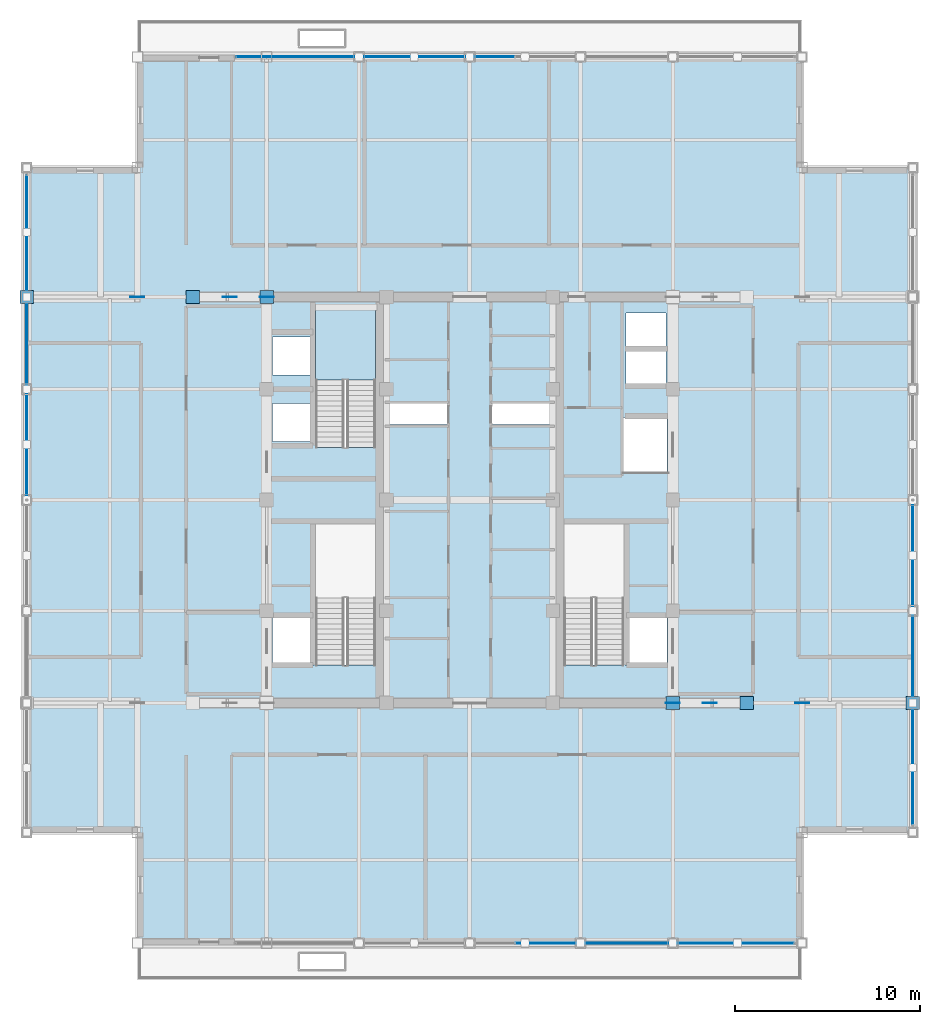
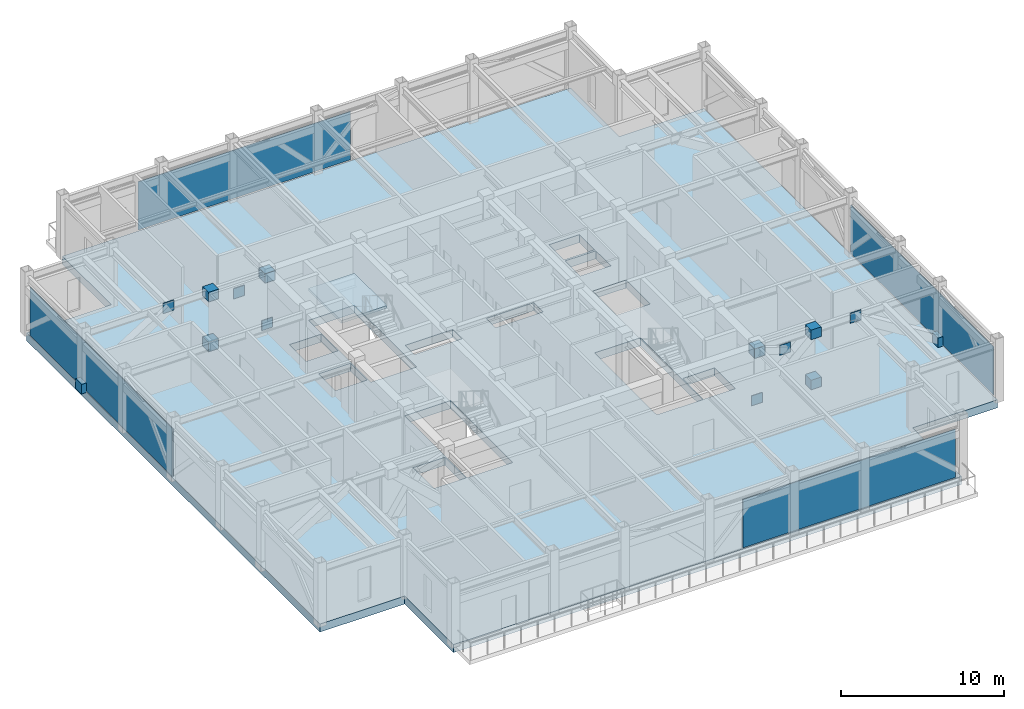
# One storey, part 24 of 32: 18 plates, 2 slabs, 5 elements without a shape of their own.
"""IFC4 building model written with IfcOpenShell, lengths in metres."""

from ifc_helpers import new_model, si_unit, direction, frame, origin, origin_2d, place, context, subcontext, project, spatial, polyline, rectangle, outline, extrude, source, transform, mapped, material, layer, layer_set, type_object, element, aggregate, save


model = new_model("IFC4")

# Units and contexts
model_context = context("Model", 3, precision=1e-05, world=origin(), true_north=direction((0.0, 1.0)))
body_context = subcontext(model_context, "Body", "Model", "MODEL_VIEW")
ifc_project = project(units=[si_unit("LENGTHUNIT", "METRE"), si_unit("AREAUNIT", "SQUARE_METRE"), si_unit("VOLUMEUNIT", "CUBIC_METRE"), si_unit("PLANEANGLEUNIT", "RADIAN"), si_unit("MASSUNIT", "GRAM", prefix="KILO")], contexts=[model_context])

# Site, building, storey
site_placement = place(None, origin())
site = spatial("IfcSite", under=ifc_project, at=site_placement, CompositionType="ELEMENT")
building_placement = place(site_placement, origin())
building = spatial("IfcBuilding", under=site, at=building_placement, Name="Khorayat Bourse Tower", CompositionType="ELEMENT")
storey_placement = place(building_placement, frame((0.0, 0.0, 375.5)))
storey = spatial("IfcBuildingStorey", under=building, at=storey_placement, Name="L89", CompositionType="ELEMENT", Elevation=375.5)

# Stair, slab
ifc_material_1 = material(Name="Concrete C40/50", Category="concrete")
stair_type = type_object("IfcStairType", Name="STR-CORE-1550", PredefinedType="HALF_TURN_STAIR", material=ifc_material_1)
stair_placement = place(storey_placement, origin())
stair = element("IfcStair", 1, at=stair_placement, inside=storey, type_object=stair_type, Name="L89 Exit Stair ST-2", PredefinedType="HALF_TURN_STAIR")
ifc_layer_1 = layer(ifc_material_1, 0.199951171875)
ifc_layer_set_1 = layer_set([ifc_layer_1], Name="Concrete C40/50")
slab_type_1 = type_object("IfcSlabType", Name="SLB-LANDING-200", PredefinedType="LANDING", material=ifc_layer_set_1)
slab_1_placement = place(storey_placement, frame((0.0, 0.0, 2.199951171875)))
slab_1 = element("IfcSlab", 2, at=slab_1_placement, type_object=slab_type_1, Name="ST-2 landing 1", PredefinedType="LANDING", context=body_context, shape_type="SweptSolid", body=[
    extrude(outline(polyline([(-5.10009765625, 6.489990234375), (-5.10009765625, 10.5), (-8.35009765625, 10.5), (-8.35009765625, 6.489990234375), (-5.10009765625, 6.489990234375)])), origin(), (0.0, 0.0, 1.0), 0.199951171875),
])
aggregate(stair, [slab_1])

# Slab
ifc_material_2 = material(Name="Concrete C50/60", Category="concrete")
ifc_layer_2 = layer(ifc_material_2, 0.60009765625)
ifc_layer_set_2 = layer_set([ifc_layer_2], Name="Concrete C50/60")
slab_type_2 = type_object("IfcSlabType", Name="SLB-TRANS-600", PredefinedType="FLOOR", material=ifc_layer_set_2)
slab_2_placement = place(storey_placement, frame((0.0, 0.0, -0.60009765625)))
element("IfcSlab", 3, at=slab_2_placement, inside=storey, type_object=slab_type_2, Name="L89 Main Floor Slab", PredefinedType="FLOOR", context=body_context, shape_type="SweptSolid", body=[
    extrude(outline(polyline([(-18.0, -24.0), (18.0, -24.0), (18.0, -18.0), (24.0, -18.0), (24.0, 18.0), (18.0, 18.0), (18.0, 24.0), (-18.0, 24.0), (-18.0, 18.0), (-24.0, 18.0), (-24.0, -18.0), (-18.0, -18.0), (-18.0, -24.0)]), holes=[polyline([(-8.35009765625, -8.945068359375), (-5.10009765625, -8.945068359375), (-5.10009765625, -1.300048828125), (-8.35009765625, -1.300048828125), (-8.35009765625, -8.945068359375)]), polyline([(-8.35009765625, 2.85498046875), (-5.10009765625, 2.85498046875), (-5.10009765625, 10.5), (-8.35009765625, 10.5), (-8.35009765625, 2.85498046875)]), polyline([(5.10009765625, -8.945068359375), (8.35009765625, -8.945068359375), (8.35009765625, -1.300048828125), (5.10009765625, -1.300048828125), (5.10009765625, -8.945068359375)]), polyline([(-10.679931640625, 3.169921875), (-8.419921875, 3.169921875), (-8.419921875, 5.22998046875), (-10.679931640625, 5.22998046875), (-10.679931640625, 3.169921875)]), polyline([(-10.679931640625, 6.77001953125), (-8.419921875, 6.77001953125), (-8.419921875, 8.830078125), (-10.679931640625, 8.830078125), (-10.679931640625, 6.77001953125)]), polyline([(8.469970703125, 6.27001953125), (10.6298828125, 6.27001953125), (10.6298828125, 8.1298828125), (8.469970703125, 8.1298828125), (8.469970703125, 6.27001953125)]), polyline([(8.469970703125, 8.27001953125), (10.6298828125, 8.27001953125), (10.6298828125, 10.1298828125), (8.469970703125, 10.1298828125), (8.469970703125, 8.27001953125)]), polyline([(-10.679931640625, -8.929931640625), (-8.419921875, -8.929931640625), (-8.419921875, -6.3701171875), (-10.679931640625, -6.3701171875), (-10.679931640625, -8.929931640625)]), polyline([(8.419921875, -8.929931640625), (10.679931640625, -8.929931640625), (10.679931640625, -6.3701171875), (8.419921875, -6.3701171875), (8.419921875, -8.929931640625)]), polyline([(8.320068359375, 1.52001953125), (10.679931640625, 1.52001953125), (10.679931640625, 4.47998046875), (8.320068359375, 4.47998046875), (8.320068359375, 1.52001953125)]), polyline([(-4.56005859375, 4.080078125), (-1.18994140625, 4.080078125), (-1.18994140625, 5.219970703125), (-4.56005859375, 5.219970703125), (-4.56005859375, 4.080078125)]), polyline([(1.18994140625, 4.080078125), (4.56005859375, 4.080078125), (4.56005859375, 5.219970703125), (1.18994140625, 5.219970703125), (1.18994140625, 4.080078125)])]), origin(), (0.0, 0.0, 1.0), 0.60009765625),
])

# Plates
ifc_material_3 = material(Name="Steel EN 10025-4 S460M", Category="steel")
ifc_layer_3 = layer(ifc_material_3, 0.0400390625)
ifc_layer_set_3 = layer_set([ifc_layer_3], Name="Steel EN 10025-4 S460M")
plate_type_1 = type_object("IfcPlateType", Name="PLT-GUSSET-40", PredefinedType="USERDEFINED", material=ifc_layer_set_3)
shared_shape_1 = source(origin(), body_context, "Body", "SweptSolid", [
    extrude(rectangle(XDim=0.760009765625, YDim=0.0400390625, at=origin_2d()), origin(), (0.0, 0.0, 1.0), 0.760009765625),
])
for number, where, z_axis, x_axis, name in (
    (4, (-11.0, 11.0, -0.02978515625), (0.0, 0.0, 1.0), (1.0, 0.0, 0.0), "L89 Outrigger Node Gusset Plate 08"),
    (5, (-18.0, 11.0, 3.72021484375), (0.0, 0.0, 1.0), (1.0, 0.0, 0.0), "L89 Outrigger Node Gusset Plate 10"),
    (6, (-13.0, 11.0, 3.06982421875), (0.0, 0.0, 1.0), (1.0, 0.0, 0.0), "L89 Outrigger X-Crossing Central Gusset Plate 12"),
    (7, (11.0, -11.0, -0.02978515625), (0.0, 0.0, 1.0), (1.0, 0.0, 0.0), "L89 Outrigger Node Gusset Plate 15"),
    (8, (18.0, -11.0, 3.72021484375), (0.0, 0.0, 1.0), (1.0, 0.0, 0.0), "L89 Outrigger Node Gusset Plate 17"),
    (9, (13.0, -11.0, 3.06982421875), (0.0, 0.0, 1.0), (1.0, 0.0, 0.0), "L89 Outrigger X-Crossing Central Gusset Plate 19"),
):
    element("IfcPlate", number, at=place(storey_placement, frame(where, z_axis=z_axis, x_axis=x_axis)), inside=storey, type_object=plate_type_1, Name=name, ObjectType="GUSSET PLATE", PredefinedType="USERDEFINED", context=body_context, shape_type="MappedRepresentation", body=[
        mapped(shared_shape_1, transform((0.0, 0.0, 0.0), scale=1.0)),
    ])
ifc_layer_4 = layer(ifc_material_3, 0.031982421875)
ifc_layer_set_4 = layer_set([ifc_layer_4], Name="Steel EN 10025-4 S460M")
plate_type_2 = type_object("IfcPlateType", Name="PLT-GUSSET-32", PredefinedType="USERDEFINED", material=ifc_layer_set_4)
shared_shape_2 = source(origin(), body_context, "Body", "SweptSolid", [
    extrude(rectangle(XDim=0.719970703125, YDim=0.719970703125, at=origin_2d()), origin(), (0.0, 0.0, 1.0), 0.719970703125),
])
for number, where, z_axis, x_axis, name in (
    (10, (-15.0, 11.0, 3.740234375), (0.0, 0.0, 1.0), (1.0, 0.0, 0.0), "L89 Outrigger Node Gusset Plate 09"),
    (11, (-24.0, 11.0, -0.009765625), (0.0, 0.0, 1.0), (1.0, 0.0, 0.0), "L89 Outrigger Node Gusset Plate 11"),
    (12, (-11.0, 11.0, 3.740234375), (0.0, 0.0, 1.0), (1.0, 0.0, 0.0), "L89 Belt Web Sealed Node Block 13"),
    (13, (-15.0, 11.0, -0.009765625), (0.0, 0.0, 1.0), (1.0, 0.0, 0.0), "L89 Belt Web Sealed Node Block 14"),
    (14, (15.0, -11.0, 3.740234375), (0.0, 0.0, 1.0), (1.0, 0.0, 0.0), "L89 Outrigger Node Gusset Plate 16"),
    (15, (24.0, -11.0, -0.009765625), (0.0, 0.0, 1.0), (1.0, 0.0, 0.0), "L89 Outrigger Node Gusset Plate 18"),
    (16, (11.0, -11.0, 3.740234375), (0.0, 0.0, 1.0), (1.0, 0.0, 0.0), "L89 Belt Web Sealed Node Block 20"),
    (17, (15.0, -11.0, -0.009765625), (0.0, 0.0, 1.0), (1.0, 0.0, 0.0), "L89 Belt Web Sealed Node Block 21"),
):
    element("IfcPlate", number, at=place(storey_placement, frame(where, z_axis=z_axis, x_axis=x_axis)), inside=storey, type_object=plate_type_2, Name=name, ObjectType="GUSSET PLATE", PredefinedType="USERDEFINED", context=body_context, shape_type="MappedRepresentation", body=[
        mapped(shared_shape_2, transform((0.0, 0.0, 0.0), scale=1.0)),
    ])

# Curtain wall, plate
ifc_material_4 = material(Name="Aluminium EN AW-6063 T6", Category="aluminium")
curtain_wall_type = type_object("IfcCurtainWallType", Name="CW-SYS-07", PredefinedType="NOTDEFINED", material=ifc_material_4)
curtain_wall_1_placement = place(storey_placement, origin())
curtain_wall_1 = element("IfcCurtainWall", 18, at=curtain_wall_1_placement, inside=storey, type_object=curtain_wall_type, Name="L89 Curtain Wall CW-L89-S2", PredefinedType="NOTDEFINED")
ifc_material_5 = material(Name="Backlit ceramic-fritted lantern glass", Category="glass")
ifc_layer_5 = layer(ifc_material_5, 0.048095703125)
ifc_layer_set_5 = layer_set([ifc_layer_5], Name="Backlit ceramic-fritted lantern glass")
plate_type_3 = type_object("IfcPlateType", Name="CWP-LANTERN-04", PredefinedType="CURTAIN_PANEL", material=ifc_layer_set_5)
shared_shape_3 = source(origin(), body_context, "Body", "SweptSolid", [
    extrude(rectangle(XDim=15.050048828125, YDim=0.048095703125, at=origin_2d()), origin(), (0.0, 0.0, 1.0), 3.6201171875),
])
plate_1_placement = place(storey_placement, frame((10.02490234375, -24.0, 0.08984375), z_axis=(0.0, 0.0, 1.0), x_axis=(1.0, 0.0, 0.0)))
plate_1 = element("IfcPlate", 19, at=plate_1_placement, type_object=plate_type_3, Name="CW-L89-S2 Vision Panel 2-1", PredefinedType="CURTAIN_PANEL", context=body_context, shape_type="MappedRepresentation", body=[
    mapped(shared_shape_3, transform((0.0, 0.0, 0.0), scale=1.0)),
])
aggregate(curtain_wall_1, [plate_1])

curtain_wall_2_placement = place(storey_placement, origin())
curtain_wall_2 = element("IfcCurtainWall", 20, at=curtain_wall_2_placement, inside=storey, type_object=curtain_wall_type, Name="L89 Curtain Wall CW-L89-N2", PredefinedType="NOTDEFINED")
plate_2_placement = place(storey_placement, frame((-5.125, 24.0, 0.08984375), z_axis=(0.0, 0.0, 1.0), x_axis=(1.0, 0.0, 0.0)))
plate_2 = element("IfcPlate", 21, at=plate_2_placement, type_object=plate_type_3, Name="CW-L89-N2 Vision Panel 1-1", PredefinedType="CURTAIN_PANEL", context=body_context, shape_type="MappedRepresentation", body=[
    mapped(shared_shape_3, transform((0.0, 0.0, 0.0), scale=1.0)),
])
aggregate(curtain_wall_2, [plate_2])

curtain_wall_3_placement = place(storey_placement, origin())
curtain_wall_3 = element("IfcCurtainWall", 22, at=curtain_wall_3_placement, inside=storey, type_object=curtain_wall_type, Name="L89 Curtain Wall CW-L89-W1", PredefinedType="NOTDEFINED")
shared_shape_4 = source(origin(), body_context, "Body", "SweptSolid", [
    extrude(rectangle(XDim=17.5, YDim=0.048095703125, at=origin_2d()), origin(), (0.0, 0.0, 1.0), 3.6201171875),
])
plate_3_placement = place(storey_placement, frame((-24.0, 8.800048828125, 0.08984375), z_axis=(0.0, 0.0, 1.0), x_axis=(0.0, 1.0, 0.0)))
plate_3 = element("IfcPlate", 23, at=plate_3_placement, type_object=plate_type_3, Name="CW-L89-W1 Vision Panel 2-1", PredefinedType="CURTAIN_PANEL", context=body_context, shape_type="MappedRepresentation", body=[
    mapped(shared_shape_4, transform((0.0, 0.0, 0.0), scale=1.0)),
])
aggregate(curtain_wall_3, [plate_3])

curtain_wall_4_placement = place(storey_placement, origin())
curtain_wall_4 = element("IfcCurtainWall", 24, at=curtain_wall_4_placement, inside=storey, type_object=curtain_wall_type, Name="L89 Curtain Wall CW-L89-E1", PredefinedType="NOTDEFINED")
plate_4_placement = place(storey_placement, frame((24.0, -8.800048828125, 0.08984375), z_axis=(0.0, 0.0, 1.0), x_axis=(0.0, 1.0, 0.0)))
plate_4 = element("IfcPlate", 25, at=plate_4_placement, type_object=plate_type_3, Name="CW-L89-E1 Vision Panel 1-1", PredefinedType="CURTAIN_PANEL", context=body_context, shape_type="MappedRepresentation", body=[
    mapped(shared_shape_4, transform((0.0, 0.0, 0.0), scale=1.0)),
])
aggregate(curtain_wall_4, [plate_4])

save(model, "model.ifc")
